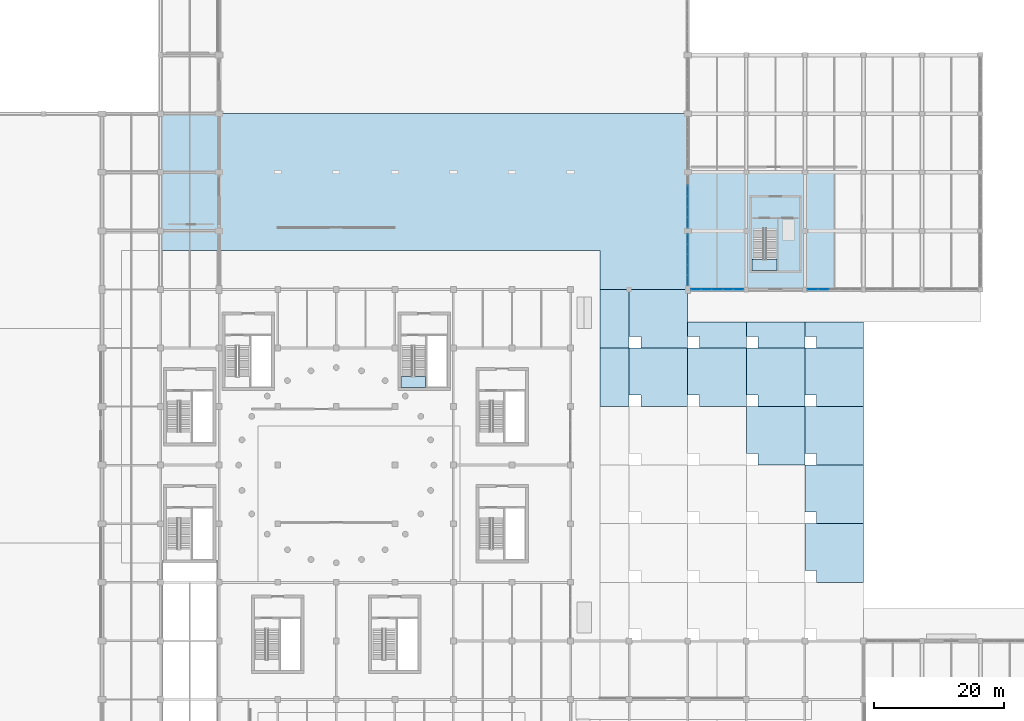
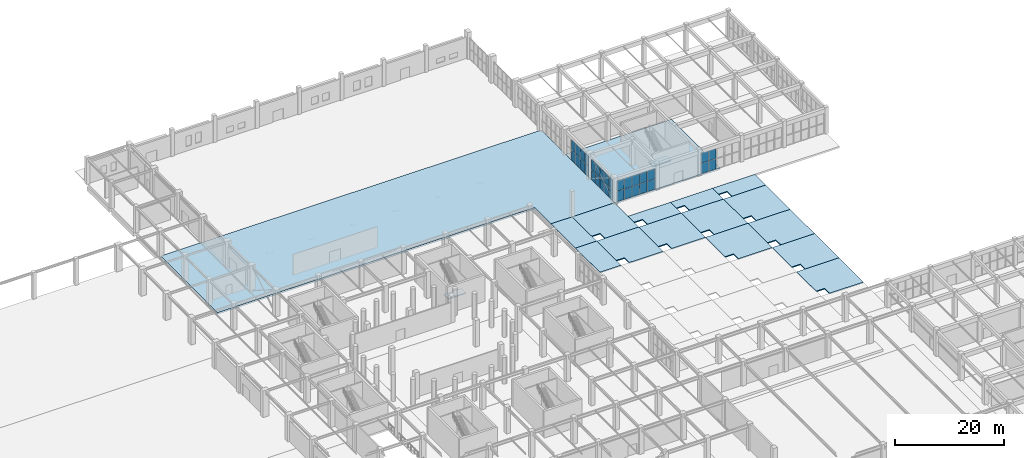
# One storey, part 56 of 91: 32 plates, 18 slabs, 6 elements without a shape of their own.
"""IFC4 building model written with IfcOpenShell, lengths in metres."""

from ifc_helpers import new_model, si_unit, direction, frame, origin, origin_2d, place, context, subcontext, project, spatial, polyline, rectangle, outline, extrude, material, layer, layer_set, type_object, element, aggregate, save


model = new_model("IFC4")

# Units and contexts
model_context = context("Model", 3, precision=1e-05, world=origin(), true_north=direction((0.0, 1.0)))
body_context = subcontext(model_context, "Body", "Model", "MODEL_VIEW")
ifc_project = project(units=[si_unit("LENGTHUNIT", "METRE"), si_unit("AREAUNIT", "SQUARE_METRE"), si_unit("VOLUMEUNIT", "CUBIC_METRE"), si_unit("PLANEANGLEUNIT", "RADIAN"), si_unit("MASSUNIT", "GRAM", prefix="KILO")], contexts=[model_context])

# Site, building, storey
site_placement = place(None, origin())
site = spatial("IfcSite", under=ifc_project, at=site_placement, CompositionType="ELEMENT")
building_placement = place(site_placement, origin())
building = spatial("IfcBuilding", under=site, at=building_placement, Name="Dornveld Trade and Exhibition Forum", CompositionType="ELEMENT")
storey_placement = place(building_placement, origin())
storey = spatial("IfcBuildingStorey", under=building, at=storey_placement, Name="L00", CompositionType="ELEMENT", Elevation=0.0)

# Curtain wall, plates
ifc_material_1 = material(Name="Dark-bronze anodised aluminium and low-E glass", Category="aluminium")
ifc_layer_1 = layer(ifc_material_1, 0.14501953125)
ifc_layer_set_1 = layer_set([ifc_layer_1], Name="Dark-bronze anodised aluminium and low-E glass")
curtain_wall_type_1 = type_object("IfcCurtainWallType", Name="CW-SYS-01", PredefinedType="USERDEFINED", material=ifc_layer_set_1)
curtain_wall_1_placement = place(storey_placement, origin())
curtain_wall_1 = element("IfcCurtainWall", 1, at=curtain_wall_1_placement, inside=storey, type_object=curtain_wall_type_1, Name="L00 unitised curtain wall 1", ObjectType="UNITISED_CURTAIN_WALL", PredefinedType="USERDEFINED")
ifc_material_2 = material(Name="Double-glazed low-E solar control glass", Category="glass")
ifc_layer_2 = layer(ifc_material_2, 0.02587890625)
ifc_layer_set_2 = layer_set([ifc_layer_2], Name="Double-glazed low-E solar control glass")
plate_type_1 = type_object("IfcPlateType", Name="CW-PNL-01", PredefinedType="CURTAIN_PANEL", material=ifc_layer_set_2)
plate_1_placement = place(storey_placement, frame((171.0, 109.40673828125, 0.055908203125), z_axis=(0.0, 0.0, 1.0), x_axis=(0.0, 1.0, 0.0)))
plate_1 = element("IfcPlate", 2, at=plate_1_placement, type_object=plate_type_1, Name="CW-01 panel 1.1", PredefinedType="CURTAIN_PANEL", context=body_context, shape_type="SweptSolid", body=[
    extrude(rectangle(XDim=1.501708984375, YDim=0.02587890625, at=origin_2d()), origin(), (0.0, 0.0, 1.0), 2.2919921875),
])
plate_2_placement = place(storey_placement, frame((171.0, 109.40673828125, 2.407958984375), z_axis=(0.0, 0.0, 1.0), x_axis=(0.0, 1.0, 0.0)))
plate_2 = element("IfcPlate", 3, at=plate_2_placement, type_object=plate_type_1, Name="CW-01 panel 1.2", PredefinedType="CURTAIN_PANEL", context=body_context, shape_type="SweptSolid", body=[
    extrude(rectangle(XDim=1.501708984375, YDim=0.02587890625, at=origin_2d()), origin(), (0.0, 0.0, 1.0), 2.2919921875),
])
plate_3_placement = place(storey_placement, frame((171.0, 110.9833984375, 0.055908203125), z_axis=(0.0, 0.0, 1.0), x_axis=(0.0, 1.0, 0.0)))
plate_3 = element("IfcPlate", 4, at=plate_3_placement, type_object=plate_type_1, Name="CW-01 panel 2.1", PredefinedType="CURTAIN_PANEL", context=body_context, shape_type="SweptSolid", body=[
    extrude(rectangle(XDim=1.531494140625, YDim=0.02587890625, at=origin_2d()), origin(), (0.0, 0.0, 1.0), 2.2919921875),
])
plate_4_placement = place(storey_placement, frame((171.0, 110.9833984375, 2.407958984375), z_axis=(0.0, 0.0, 1.0), x_axis=(0.0, 1.0, 0.0)))
plate_4 = element("IfcPlate", 5, at=plate_4_placement, type_object=plate_type_1, Name="CW-01 panel 2.2", PredefinedType="CURTAIN_PANEL", context=body_context, shape_type="SweptSolid", body=[
    extrude(rectangle(XDim=1.531494140625, YDim=0.02587890625, at=origin_2d()), origin(), (0.0, 0.0, 1.0), 2.2919921875),
])
plate_5_placement = place(storey_placement, frame((171.0, 112.574951171875, 0.055908203125), z_axis=(0.0, 0.0, 1.0), x_axis=(0.0, 1.0, 0.0)))
plate_5 = element("IfcPlate", 6, at=plate_5_placement, type_object=plate_type_1, Name="CW-01 panel 3.1", PredefinedType="CURTAIN_PANEL", context=body_context, shape_type="SweptSolid", body=[
    extrude(rectangle(XDim=1.531494140625, YDim=0.02587890625, at=origin_2d()), origin(), (0.0, 0.0, 1.0), 2.2919921875),
])
plate_6_placement = place(storey_placement, frame((171.0, 112.574951171875, 2.407958984375), z_axis=(0.0, 0.0, 1.0), x_axis=(0.0, 1.0, 0.0)))
plate_6 = element("IfcPlate", 7, at=plate_6_placement, type_object=plate_type_1, Name="CW-01 panel 3.2", PredefinedType="CURTAIN_PANEL", context=body_context, shape_type="SweptSolid", body=[
    extrude(rectangle(XDim=1.531494140625, YDim=0.02587890625, at=origin_2d()), origin(), (0.0, 0.0, 1.0), 2.2919921875),
])
plate_7_placement = place(storey_placement, frame((171.0, 114.16650390625, 0.055908203125), z_axis=(0.0, 0.0, 1.0), x_axis=(0.0, 1.0, 0.0)))
plate_7 = element("IfcPlate", 8, at=plate_7_placement, type_object=plate_type_1, Name="CW-01 panel 4.1", PredefinedType="CURTAIN_PANEL", context=body_context, shape_type="SweptSolid", body=[
    extrude(rectangle(XDim=1.531494140625, YDim=0.02587890625, at=origin_2d()), origin(), (0.0, 0.0, 1.0), 2.2919921875),
])
plate_8_placement = place(storey_placement, frame((171.0, 114.16650390625, 2.407958984375), z_axis=(0.0, 0.0, 1.0), x_axis=(0.0, 1.0, 0.0)))
plate_8 = element("IfcPlate", 9, at=plate_8_placement, type_object=plate_type_1, Name="CW-01 panel 4.2", PredefinedType="CURTAIN_PANEL", context=body_context, shape_type="SweptSolid", body=[
    extrude(rectangle(XDim=1.531494140625, YDim=0.02587890625, at=origin_2d()), origin(), (0.0, 0.0, 1.0), 2.2919921875),
])
plate_9_placement = place(storey_placement, frame((171.0, 115.7431640625, 0.055908203125), z_axis=(0.0, 0.0, 1.0), x_axis=(0.0, 1.0, 0.0)))
plate_9 = element("IfcPlate", 10, at=plate_9_placement, type_object=plate_type_1, Name="CW-01 panel 5.1", PredefinedType="CURTAIN_PANEL", context=body_context, shape_type="SweptSolid", body=[
    extrude(rectangle(XDim=1.501708984375, YDim=0.02587890625, at=origin_2d()), origin(), (0.0, 0.0, 1.0), 2.2919921875),
])
plate_10_placement = place(storey_placement, frame((171.0, 115.7431640625, 2.407958984375), z_axis=(0.0, 0.0, 1.0), x_axis=(0.0, 1.0, 0.0)))
plate_10 = element("IfcPlate", 11, at=plate_10_placement, type_object=plate_type_1, Name="CW-01 panel 5.2", PredefinedType="CURTAIN_PANEL", context=body_context, shape_type="SweptSolid", body=[
    extrude(rectangle(XDim=1.501708984375, YDim=0.02587890625, at=origin_2d()), origin(), (0.0, 0.0, 1.0), 2.2919921875),
])
aggregate(curtain_wall_1, [plate_1, plate_2, plate_3, plate_4, plate_5, plate_6, plate_7, plate_8, plate_9, plate_10])

ifc_material_3 = material(Name="Dark-bronze anodised aluminium and low-E glass", Category="aluminium")
ifc_layer_3 = layer(ifc_material_3, 0.1630859375)
ifc_layer_set_3 = layer_set([ifc_layer_3], Name="Dark-bronze anodised aluminium and low-E glass")
curtain_wall_type_2 = type_object("IfcCurtainWallType", Name="CW-SYS-07", PredefinedType="USERDEFINED", material=ifc_layer_set_3)
curtain_wall_2_placement = place(storey_placement, origin())
curtain_wall_2 = element("IfcCurtainWall", 12, at=curtain_wall_2_placement, inside=storey, type_object=curtain_wall_type_2, Name="L00 unitised curtain wall 97", ObjectType="UNITISED_CURTAIN_WALL", PredefinedType="USERDEFINED")
plate_11_placement = place(storey_placement, frame((190.2119140625, 108.0, 0.055908203125), z_axis=(0.0, 0.0, 1.0), x_axis=(1.0, 0.0, 0.0)))
plate_11 = element("IfcPlate", 13, at=plate_11_placement, type_object=plate_type_1, Name="CW-07 panel 1.1", PredefinedType="CURTAIN_PANEL", context=body_context, shape_type="SweptSolid", body=[
    extrude(rectangle(XDim=1.5615234375, YDim=0.02587890625, at=origin_2d()), origin(), (0.0, 0.0, 1.0), 2.2919921875),
])
plate_12_placement = place(storey_placement, frame((190.2119140625, 108.0, 2.407958984375), z_axis=(0.0, 0.0, 1.0), x_axis=(1.0, 0.0, 0.0)))
plate_12 = element("IfcPlate", 14, at=plate_12_placement, type_object=plate_type_1, Name="CW-07 panel 1.2", PredefinedType="CURTAIN_PANEL", context=body_context, shape_type="SweptSolid", body=[
    extrude(rectangle(XDim=1.5615234375, YDim=0.02587890625, at=origin_2d()), origin(), (0.0, 0.0, 1.0), 2.2919921875),
])
plate_13_placement = place(storey_placement, frame((191.848388671875, 108.0, 0.055908203125), z_axis=(0.0, 0.0, 1.0), x_axis=(1.0, 0.0, 0.0)))
plate_13 = element("IfcPlate", 15, at=plate_13_placement, type_object=plate_type_1, Name="CW-07 panel 2.1", PredefinedType="CURTAIN_PANEL", context=body_context, shape_type="SweptSolid", body=[
    extrude(rectangle(XDim=1.591552734375, YDim=0.02587890625, at=origin_2d()), origin(), (0.0, 0.0, 1.0), 2.2919921875),
])
plate_14_placement = place(storey_placement, frame((191.848388671875, 108.0, 2.407958984375), z_axis=(0.0, 0.0, 1.0), x_axis=(1.0, 0.0, 0.0)))
plate_14 = element("IfcPlate", 16, at=plate_14_placement, type_object=plate_type_1, Name="CW-07 panel 2.2", PredefinedType="CURTAIN_PANEL", context=body_context, shape_type="SweptSolid", body=[
    extrude(rectangle(XDim=1.591552734375, YDim=0.02587890625, at=origin_2d()), origin(), (0.0, 0.0, 1.0), 2.2919921875),
])
aggregate(curtain_wall_2, [plate_11, plate_12, plate_13, plate_14])

ifc_material_4 = material(Name="Dark-bronze anodised aluminium and low-E glass", Category="aluminium")
ifc_layer_4 = layer(ifc_material_4, 0.14794921875)
ifc_layer_set_4 = layer_set([ifc_layer_4], Name="Dark-bronze anodised aluminium and low-E glass")
curtain_wall_type_3 = type_object("IfcCurtainWallType", Name="CW-SYS-02", PredefinedType="USERDEFINED", material=ifc_layer_set_4)
curtain_wall_3_placement = place(storey_placement, origin())
curtain_wall_3 = element("IfcCurtainWall", 17, at=curtain_wall_3_placement, inside=storey, type_object=curtain_wall_type_3, Name="L00 unitised curtain wall 2", ObjectType="UNITISED_CURTAIN_WALL", PredefinedType="USERDEFINED")
ifc_material_5 = material(Name="Double-glazed low-E solar control glass", Category="glass")
ifc_layer_5 = layer(ifc_material_5, 0.028076171875)
ifc_layer_set_5 = layer_set([ifc_layer_5], Name="Double-glazed low-E solar control glass")
plate_type_2 = type_object("IfcPlateType", Name="CW-PNL-02", PredefinedType="CURTAIN_PANEL", material=ifc_layer_set_5)
plate_15_placement = place(storey_placement, frame((171.0, 118.271728515625, 0.055908203125), z_axis=(0.0, 0.0, 1.0), x_axis=(0.0, 1.0, 0.0)))
plate_15 = element("IfcPlate", 18, at=plate_15_placement, type_object=plate_type_2, Name="CW-02 panel 1.1", PredefinedType="CURTAIN_PANEL", context=body_context, shape_type="SweptSolid", body=[
    extrude(rectangle(XDim=1.531494140625, YDim=0.028076171875, at=origin_2d()), origin(), (0.0, 0.0, 1.0), 2.2919921875),
])
plate_16_placement = place(storey_placement, frame((171.0, 118.271728515625, 2.407958984375), z_axis=(0.0, 0.0, 1.0), x_axis=(0.0, 1.0, 0.0)))
plate_16 = element("IfcPlate", 19, at=plate_16_placement, type_object=plate_type_2, Name="CW-02 panel 1.2", PredefinedType="CURTAIN_PANEL", context=body_context, shape_type="SweptSolid", body=[
    extrude(rectangle(XDim=1.531494140625, YDim=0.028076171875, at=origin_2d()), origin(), (0.0, 0.0, 1.0), 2.2919921875),
])
plate_17_placement = place(storey_placement, frame((171.0, 119.87841796875, 0.055908203125), z_axis=(0.0, 0.0, 1.0), x_axis=(0.0, 1.0, 0.0)))
plate_17 = element("IfcPlate", 20, at=plate_17_placement, type_object=plate_type_2, Name="CW-02 panel 2.1", PredefinedType="CURTAIN_PANEL", context=body_context, shape_type="SweptSolid", body=[
    extrude(rectangle(XDim=1.5615234375, YDim=0.028076171875, at=origin_2d()), origin(), (0.0, 0.0, 1.0), 2.2919921875),
])
plate_18_placement = place(storey_placement, frame((171.0, 119.87841796875, 2.407958984375), z_axis=(0.0, 0.0, 1.0), x_axis=(0.0, 1.0, 0.0)))
plate_18 = element("IfcPlate", 21, at=plate_18_placement, type_object=plate_type_2, Name="CW-02 panel 2.2", PredefinedType="CURTAIN_PANEL", context=body_context, shape_type="SweptSolid", body=[
    extrude(rectangle(XDim=1.5615234375, YDim=0.028076171875, at=origin_2d()), origin(), (0.0, 0.0, 1.0), 2.2919921875),
])
plate_19_placement = place(storey_placement, frame((171.0, 121.5, 0.055908203125), z_axis=(0.0, 0.0, 1.0), x_axis=(0.0, 1.0, 0.0)))
plate_19 = element("IfcPlate", 22, at=plate_19_placement, type_object=plate_type_2, Name="CW-02 panel 3.1", PredefinedType="CURTAIN_PANEL", context=body_context, shape_type="SweptSolid", body=[
    extrude(rectangle(XDim=1.5615234375, YDim=0.028076171875, at=origin_2d()), origin(), (0.0, 0.0, 1.0), 2.2919921875),
])
plate_20_placement = place(storey_placement, frame((171.0, 121.5, 2.407958984375), z_axis=(0.0, 0.0, 1.0), x_axis=(0.0, 1.0, 0.0)))
plate_20 = element("IfcPlate", 23, at=plate_20_placement, type_object=plate_type_2, Name="CW-02 panel 3.2", PredefinedType="CURTAIN_PANEL", context=body_context, shape_type="SweptSolid", body=[
    extrude(rectangle(XDim=1.5615234375, YDim=0.028076171875, at=origin_2d()), origin(), (0.0, 0.0, 1.0), 2.2919921875),
])
plate_21_placement = place(storey_placement, frame((171.0, 123.12158203125, 0.055908203125), z_axis=(0.0, 0.0, 1.0), x_axis=(0.0, 1.0, 0.0)))
plate_21 = element("IfcPlate", 24, at=plate_21_placement, type_object=plate_type_2, Name="CW-02 panel 4.1", PredefinedType="CURTAIN_PANEL", context=body_context, shape_type="SweptSolid", body=[
    extrude(rectangle(XDim=1.5615234375, YDim=0.028076171875, at=origin_2d()), origin(), (0.0, 0.0, 1.0), 2.2919921875),
])
plate_22_placement = place(storey_placement, frame((171.0, 123.12158203125, 2.407958984375), z_axis=(0.0, 0.0, 1.0), x_axis=(0.0, 1.0, 0.0)))
plate_22 = element("IfcPlate", 25, at=plate_22_placement, type_object=plate_type_2, Name="CW-02 panel 4.2", PredefinedType="CURTAIN_PANEL", context=body_context, shape_type="SweptSolid", body=[
    extrude(rectangle(XDim=1.5615234375, YDim=0.028076171875, at=origin_2d()), origin(), (0.0, 0.0, 1.0), 2.2919921875),
])
aggregate(curtain_wall_3, [plate_15, plate_16, plate_17, plate_18, plate_19, plate_20, plate_21, plate_22])

ifc_material_6 = material(Name="Dark-bronze anodised aluminium and low-E glass", Category="aluminium")
ifc_layer_6 = layer(ifc_material_6, 0.159912109375)
ifc_layer_set_6 = layer_set([ifc_layer_6], Name="Dark-bronze anodised aluminium and low-E glass")
curtain_wall_type_4 = type_object("IfcCurtainWallType", Name="CW-SYS-06", PredefinedType="USERDEFINED", material=ifc_layer_set_6)
curtain_wall_4_placement = place(storey_placement, origin())
curtain_wall_4 = element("IfcCurtainWall", 26, at=curtain_wall_4_placement, inside=storey, type_object=curtain_wall_type_4, Name="L00 unitised curtain wall 96", ObjectType="UNITISED_CURTAIN_WALL", PredefinedType="USERDEFINED")
ifc_material_7 = material(Name="Double-glazed low-E solar control glass", Category="glass")
ifc_layer_7 = layer(ifc_material_7, 0.0400390625)
ifc_layer_set_7 = layer_set([ifc_layer_7], Name="Double-glazed low-E solar control glass")
plate_type_3 = type_object("IfcPlateType", Name="CW-PNL-08", PredefinedType="CURTAIN_PANEL", material=ifc_layer_set_7)
plate_23_placement = place(storey_placement, frame((172.279296875, 108.0, 0.055908203125), z_axis=(0.0, 0.0, 1.0), x_axis=(1.0, 0.0, 0.0)))
plate_23 = element("IfcPlate", 27, at=plate_23_placement, type_object=plate_type_3, Name="CW-06 panel 1.1", PredefinedType="CURTAIN_PANEL", context=body_context, shape_type="SweptSolid", body=[
    extrude(rectangle(XDim=1.546630859375, YDim=0.0400390625, at=origin_2d()), origin(), (0.0, 0.0, 1.0), 2.2919921875),
])
plate_24_placement = place(storey_placement, frame((172.279296875, 108.0, 2.407958984375), z_axis=(0.0, 0.0, 1.0), x_axis=(1.0, 0.0, 0.0)))
plate_24 = element("IfcPlate", 28, at=plate_24_placement, type_object=plate_type_3, Name="CW-06 panel 1.2", PredefinedType="CURTAIN_PANEL", context=body_context, shape_type="SweptSolid", body=[
    extrude(rectangle(XDim=1.546630859375, YDim=0.0400390625, at=origin_2d()), origin(), (0.0, 0.0, 1.0), 2.2919921875),
])
plate_25_placement = place(storey_placement, frame((173.90087890625, 108.0, 0.055908203125), z_axis=(0.0, 0.0, 1.0), x_axis=(1.0, 0.0, 0.0)))
plate_25 = element("IfcPlate", 29, at=plate_25_placement, type_object=plate_type_3, Name="CW-06 panel 2.1", PredefinedType="CURTAIN_PANEL", context=body_context, shape_type="SweptSolid", body=[
    extrude(rectangle(XDim=1.57666015625, YDim=0.0400390625, at=origin_2d()), origin(), (0.0, 0.0, 1.0), 2.2919921875),
])
plate_26_placement = place(storey_placement, frame((173.90087890625, 108.0, 2.407958984375), z_axis=(0.0, 0.0, 1.0), x_axis=(1.0, 0.0, 0.0)))
plate_26 = element("IfcPlate", 30, at=plate_26_placement, type_object=plate_type_3, Name="CW-06 panel 2.2", PredefinedType="CURTAIN_PANEL", context=body_context, shape_type="SweptSolid", body=[
    extrude(rectangle(XDim=1.57666015625, YDim=0.0400390625, at=origin_2d()), origin(), (0.0, 0.0, 1.0), 2.2919921875),
])
plate_27_placement = place(storey_placement, frame((175.53759765625, 108.0, 0.055908203125), z_axis=(0.0, 0.0, 1.0), x_axis=(1.0, 0.0, 0.0)))
plate_27 = element("IfcPlate", 31, at=plate_27_placement, type_object=plate_type_3, Name="CW-06 panel 3.1", PredefinedType="CURTAIN_PANEL", context=body_context, shape_type="SweptSolid", body=[
    extrude(rectangle(XDim=1.57666015625, YDim=0.0400390625, at=origin_2d()), origin(), (0.0, 0.0, 1.0), 2.2919921875),
])
plate_28_placement = place(storey_placement, frame((175.53759765625, 108.0, 2.407958984375), z_axis=(0.0, 0.0, 1.0), x_axis=(1.0, 0.0, 0.0)))
plate_28 = element("IfcPlate", 32, at=plate_28_placement, type_object=plate_type_3, Name="CW-06 panel 3.2", PredefinedType="CURTAIN_PANEL", context=body_context, shape_type="SweptSolid", body=[
    extrude(rectangle(XDim=1.57666015625, YDim=0.0400390625, at=origin_2d()), origin(), (0.0, 0.0, 1.0), 2.2919921875),
])
plate_29_placement = place(storey_placement, frame((177.174072265625, 108.0, 0.055908203125), z_axis=(0.0, 0.0, 1.0), x_axis=(1.0, 0.0, 0.0)))
plate_29 = element("IfcPlate", 33, at=plate_29_placement, type_object=plate_type_3, Name="CW-06 panel 4.1", PredefinedType="CURTAIN_PANEL", context=body_context, shape_type="SweptSolid", body=[
    extrude(rectangle(XDim=1.57666015625, YDim=0.0400390625, at=origin_2d()), origin(), (0.0, 0.0, 1.0), 2.2919921875),
])
plate_30_placement = place(storey_placement, frame((177.174072265625, 108.0, 2.407958984375), z_axis=(0.0, 0.0, 1.0), x_axis=(1.0, 0.0, 0.0)))
plate_30 = element("IfcPlate", 34, at=plate_30_placement, type_object=plate_type_3, Name="CW-06 panel 4.2", PredefinedType="CURTAIN_PANEL", context=body_context, shape_type="SweptSolid", body=[
    extrude(rectangle(XDim=1.57666015625, YDim=0.0400390625, at=origin_2d()), origin(), (0.0, 0.0, 1.0), 2.2919921875),
])
plate_31_placement = place(storey_placement, frame((178.795654296875, 108.0, 0.055908203125), z_axis=(0.0, 0.0, 1.0), x_axis=(1.0, 0.0, 0.0)))
plate_31 = element("IfcPlate", 35, at=plate_31_placement, type_object=plate_type_3, Name="CW-06 panel 5.1", PredefinedType="CURTAIN_PANEL", context=body_context, shape_type="SweptSolid", body=[
    extrude(rectangle(XDim=1.546630859375, YDim=0.0400390625, at=origin_2d()), origin(), (0.0, 0.0, 1.0), 2.2919921875),
])
plate_32_placement = place(storey_placement, frame((178.795654296875, 108.0, 2.407958984375), z_axis=(0.0, 0.0, 1.0), x_axis=(1.0, 0.0, 0.0)))
plate_32 = element("IfcPlate", 36, at=plate_32_placement, type_object=plate_type_3, Name="CW-06 panel 5.2", PredefinedType="CURTAIN_PANEL", context=body_context, shape_type="SweptSolid", body=[
    extrude(rectangle(XDim=1.546630859375, YDim=0.0400390625, at=origin_2d()), origin(), (0.0, 0.0, 1.0), 2.2919921875),
])
aggregate(curtain_wall_4, [plate_23, plate_24, plate_25, plate_26, plate_27, plate_28, plate_29, plate_30, plate_31, plate_32])

# Slabs
ifc_material_8 = material(Name="Precast concrete C50/60", Category="concrete")
ifc_layer_8 = layer(ifc_material_8, 0.22998046875)
ifc_layer_set_8 = layer_set([ifc_layer_8], Name="Precast concrete C50/60")
slab_type_1 = type_object("IfcSlabType", Name="SL-EXT-02", PredefinedType="BASESLAB", material=ifc_layer_set_8)
slab_1_placement = place(storey_placement, frame((0.0, 0.0, -0.22998046875)))
element("IfcSlab", 37, at=slab_1_placement, inside=storey, type_object=slab_type_1, Name="Walled Park Garden Court granite paving bay 1.5", PredefinedType="BASESLAB", context=body_context, shape_type="SweptSolid", body=[
    extrude(outline(polyline([(162.0, 99.0), (162.0, 90.0), (157.501953125, 90.0), (157.501953125, 99.0), (162.0, 99.0)])), origin(), (0.0, 0.0, 1.0), 0.22998046875),
])
slab_2_placement = place(storey_placement, frame((0.0, 0.0, -0.22998046875)))
element("IfcSlab", 38, at=slab_2_placement, inside=storey, type_object=slab_type_1, Name="Walled Park Garden Court granite paving bay 1.6", PredefinedType="BASESLAB", context=body_context, shape_type="SweptSolid", body=[
    extrude(outline(polyline([(162.0, 108.0), (162.0, 99.0), (157.501953125, 99.0), (157.501953125, 108.0), (162.0, 108.0)])), origin(), (0.0, 0.0, 1.0), 0.22998046875),
])
slab_3_placement = place(storey_placement, frame((0.0, 0.0, -0.22998046875)))
element("IfcSlab", 39, at=slab_3_placement, inside=storey, type_object=slab_type_1, Name="Walled Park Garden Court granite paving bay 2.5", PredefinedType="BASESLAB", context=body_context, shape_type="SweptSolid", body=[
    extrude(outline(polyline([(163.800048828125, 90.0), (171.0, 90.0), (171.0, 99.0), (162.0, 99.0), (162.0, 91.800048828125), (163.800048828125, 91.800048828125), (163.800048828125, 90.0)])), origin(), (0.0, 0.0, 1.0), 0.22998046875),
])
slab_4_placement = place(storey_placement, frame((0.0, 0.0, -0.22998046875)))
element("IfcSlab", 40, at=slab_4_placement, inside=storey, type_object=slab_type_1, Name="Walled Park Garden Court granite paving bay 2.6", PredefinedType="BASESLAB", context=body_context, shape_type="SweptSolid", body=[
    extrude(outline(polyline([(163.800048828125, 99.0), (171.0, 99.0), (171.0, 108.0), (162.0, 108.0), (162.0, 100.800048828125), (163.800048828125, 100.800048828125), (163.800048828125, 99.0)])), origin(), (0.0, 0.0, 1.0), 0.22998046875),
])
slab_5_placement = place(storey_placement, frame((0.0, 0.0, -0.22998046875)))
element("IfcSlab", 41, at=slab_5_placement, inside=storey, type_object=slab_type_1, Name="Walled Park Garden Court granite paving bay 3.5", PredefinedType="BASESLAB", context=body_context, shape_type="SweptSolid", body=[
    extrude(outline(polyline([(172.800048828125, 90.0), (180.0, 90.0), (180.0, 99.0), (171.0, 99.0), (171.0, 91.800048828125), (172.800048828125, 91.800048828125), (172.800048828125, 90.0)])), origin(), (0.0, 0.0, 1.0), 0.22998046875),
])
slab_6_placement = place(storey_placement, frame((0.0, 0.0, -0.22998046875)))
element("IfcSlab", 42, at=slab_6_placement, inside=storey, type_object=slab_type_1, Name="Walled Park Garden Court granite paving bay 3.6", PredefinedType="BASESLAB", context=body_context, shape_type="SweptSolid", body=[
    extrude(outline(polyline([(180.0, 99.0), (172.800048828125, 99.0), (172.800048828125, 100.800048828125), (171.0, 100.800048828125), (171.0, 102.998046875), (180.0, 102.998046875), (180.0, 99.0)])), origin(), (0.0, 0.0, 1.0), 0.22998046875),
])
slab_7_placement = place(storey_placement, frame((0.0, 0.0, -0.22998046875)))
element("IfcSlab", 43, at=slab_7_placement, inside=storey, type_object=slab_type_1, Name="Walled Park Garden Court granite paving bay 4.4", PredefinedType="BASESLAB", context=body_context, shape_type="SweptSolid", body=[
    extrude(outline(polyline([(181.800048828125, 81.0), (189.0, 81.0), (189.0, 90.0), (180.0, 90.0), (180.0, 82.800048828125), (181.800048828125, 82.800048828125), (181.800048828125, 81.0)])), origin(), (0.0, 0.0, 1.0), 0.22998046875),
])
slab_8_placement = place(storey_placement, frame((0.0, 0.0, -0.22998046875)))
element("IfcSlab", 44, at=slab_8_placement, inside=storey, type_object=slab_type_1, Name="Walled Park Garden Court granite paving bay 4.5", PredefinedType="BASESLAB", context=body_context, shape_type="SweptSolid", body=[
    extrude(outline(polyline([(181.800048828125, 90.0), (189.0, 90.0), (189.0, 99.0), (180.0, 99.0), (180.0, 91.800048828125), (181.800048828125, 91.800048828125), (181.800048828125, 90.0)])), origin(), (0.0, 0.0, 1.0), 0.22998046875),
])
slab_9_placement = place(storey_placement, frame((0.0, 0.0, -0.22998046875)))
element("IfcSlab", 45, at=slab_9_placement, inside=storey, type_object=slab_type_1, Name="Walled Park Garden Court granite paving bay 4.6", PredefinedType="BASESLAB", context=body_context, shape_type="SweptSolid", body=[
    extrude(outline(polyline([(189.0, 99.0), (181.800048828125, 99.0), (181.800048828125, 100.800048828125), (180.0, 100.800048828125), (180.0, 102.998046875), (189.0, 102.998046875), (189.0, 99.0)])), origin(), (0.0, 0.0, 1.0), 0.22998046875),
])
slab_10_placement = place(storey_placement, frame((0.0, 0.0, -0.22998046875)))
element("IfcSlab", 46, at=slab_10_placement, inside=storey, type_object=slab_type_1, Name="Walled Park Garden Court granite paving bay 5.2", PredefinedType="BASESLAB", context=body_context, shape_type="SweptSolid", body=[
    extrude(outline(polyline([(190.800048828125, 63.0), (198.0, 63.0), (198.0, 72.0), (189.0, 72.0), (189.0, 64.800048828125), (190.800048828125, 64.800048828125), (190.800048828125, 63.0)])), origin(), (0.0, 0.0, 1.0), 0.22998046875),
])
slab_11_placement = place(storey_placement, frame((0.0, 0.0, -0.22998046875)))
element("IfcSlab", 47, at=slab_11_placement, inside=storey, type_object=slab_type_1, Name="Walled Park Garden Court granite paving bay 5.3", PredefinedType="BASESLAB", context=body_context, shape_type="SweptSolid", body=[
    extrude(outline(polyline([(190.800048828125, 72.0), (198.0, 72.0), (198.0, 81.0), (189.0, 81.0), (189.0, 73.800048828125), (190.800048828125, 73.800048828125), (190.800048828125, 72.0)])), origin(), (0.0, 0.0, 1.0), 0.22998046875),
])
slab_12_placement = place(storey_placement, frame((0.0, 0.0, -0.22998046875)))
element("IfcSlab", 48, at=slab_12_placement, inside=storey, type_object=slab_type_1, Name="Walled Park Garden Court granite paving bay 5.4", PredefinedType="BASESLAB", context=body_context, shape_type="SweptSolid", body=[
    extrude(outline(polyline([(190.800048828125, 81.0), (198.0, 81.0), (198.0, 90.0), (189.0, 90.0), (189.0, 82.800048828125), (190.800048828125, 82.800048828125), (190.800048828125, 81.0)])), origin(), (0.0, 0.0, 1.0), 0.22998046875),
])
slab_13_placement = place(storey_placement, frame((0.0, 0.0, -0.22998046875)))
element("IfcSlab", 49, at=slab_13_placement, inside=storey, type_object=slab_type_1, Name="Walled Park Garden Court granite paving bay 5.5", PredefinedType="BASESLAB", context=body_context, shape_type="SweptSolid", body=[
    extrude(outline(polyline([(190.800048828125, 90.0), (198.0, 90.0), (198.0, 99.0), (189.0, 99.0), (189.0, 91.800048828125), (190.800048828125, 91.800048828125), (190.800048828125, 90.0)])), origin(), (0.0, 0.0, 1.0), 0.22998046875),
])
slab_14_placement = place(storey_placement, frame((0.0, 0.0, -0.22998046875)))
element("IfcSlab", 50, at=slab_14_placement, inside=storey, type_object=slab_type_1, Name="Walled Park Garden Court granite paving bay 5.6", PredefinedType="BASESLAB", context=body_context, shape_type="SweptSolid", body=[
    extrude(outline(polyline([(198.0, 99.0), (190.800048828125, 99.0), (190.800048828125, 100.800048828125), (189.0, 100.800048828125), (189.0, 102.998046875), (198.0, 102.998046875), (198.0, 99.0)])), origin(), (0.0, 0.0, 1.0), 0.22998046875),
])
ifc_material_9 = material(Name="Concrete C40/50", Category="concrete")
ifc_layer_9 = layer(ifc_material_9, 0.3798828125)
ifc_layer_set_9 = layer_set([ifc_layer_9], Name="Concrete C40/50")
slab_type_2 = type_object("IfcSlabType", Name="SL-HALL-380", PredefinedType="BASESLAB", material=ifc_layer_set_9)
slab_15_placement = place(storey_placement, frame((0.0, 0.0, -0.3798828125)))
element("IfcSlab", 51, at=slab_15_placement, inside=storey, type_object=slab_type_2, Name="L00 structural slab panel 13", PredefinedType="BASESLAB", context=body_context, shape_type="SweptSolid", body=[
    extrude(outline(polyline([(90.0, 135.0), (171.0, 135.0), (171.0, 108.0), (157.501953125, 108.0), (157.501953125, 114.001953125), (90.0, 114.001953125), (90.0, 135.0)])), origin(), (0.0, 0.0, 1.0), 0.3798828125),
])
slab_16_placement = place(storey_placement, frame((0.0, 0.0, -0.3798828125)))
element("IfcSlab", 52, at=slab_16_placement, inside=storey, type_object=slab_type_2, Name="L00 structural slab panel 26", PredefinedType="BASESLAB", context=body_context, shape_type="SweptSolid", body=[
    extrude(outline(polyline([(171.0, 108.0), (193.5, 108.0), (193.5, 126.0), (171.0, 126.0), (171.0, 108.0)])), origin(), (0.0, 0.0, 1.0), 0.3798828125),
])

# Stair, slab
ifc_material_10 = material(Name="Concrete C40/50", Category="concrete")
stair_type = type_object("IfcStairType", Name="ST-2RET-600B", PredefinedType="HALF_TURN_STAIR", material=ifc_material_10)
stair_1_placement = place(storey_placement, origin())
stair_1 = element("IfcStair", 53, at=stair_1_placement, inside=storey, type_object=stair_type, Name="CORE-02 escape stair L00 to L01", PredefinedType="HALF_TURN_STAIR")
ifc_material_11 = material(Name="Concrete C40/50", Category="concrete")
ifc_layer_10 = layer(ifc_material_11, 0.219970703125)
ifc_layer_set_10 = layer_set([ifc_layer_10], Name="Concrete C40/50")
slab_type_3 = type_object("IfcSlabType", Name="SL-LAND-220", PredefinedType="LANDING", material=ifc_layer_set_10)
slab_17_placement = place(storey_placement, frame((0.0, 0.0, 2.780029296875)))
slab_17 = element("IfcSlab", 54, at=slab_17_placement, type_object=slab_type_3, Name="ST-02-L00 landing 1", PredefinedType="LANDING", context=body_context, shape_type="SweptSolid", body=[
    extrude(outline(polyline([(126.925048828125, 92.925048828125), (130.719970703125, 92.925048828125), (130.719970703125, 94.614990234375), (126.925048828125, 94.614990234375), (126.925048828125, 92.925048828125)])), origin(), (0.0, 0.0, 1.0), 0.219970703125),
])
aggregate(stair_1, [slab_17])

stair_2_placement = place(storey_placement, origin())
stair_2 = element("IfcStair", 55, at=stair_2_placement, inside=storey, type_object=stair_type, Name="CORE-12 escape stair L00 to L01", PredefinedType="HALF_TURN_STAIR")
slab_18_placement = place(storey_placement, frame((0.0, 0.0, 2.780029296875)))
slab_18 = element("IfcSlab", 56, at=slab_18_placement, type_object=slab_type_3, Name="ST-12-L00 landing 1", PredefinedType="LANDING", context=body_context, shape_type="SweptSolid", body=[
    extrude(outline(polyline([(180.875, 110.875), (184.719970703125, 110.875), (184.719970703125, 112.614990234375), (180.875, 112.614990234375), (180.875, 110.875)])), origin(), (0.0, 0.0, 1.0), 0.219970703125),
])
aggregate(stair_2, [slab_18])

save(model, "model.ifc")
